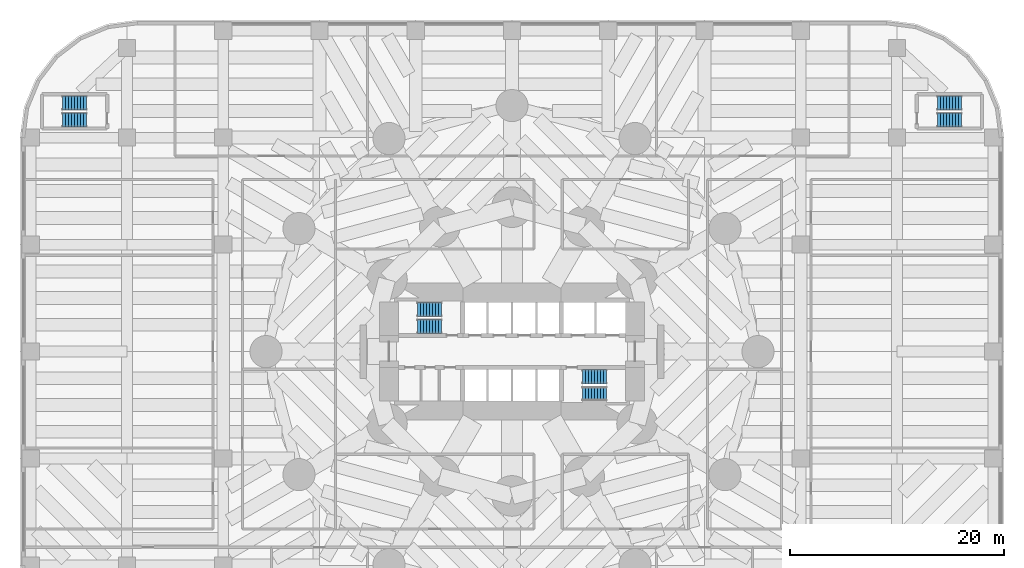
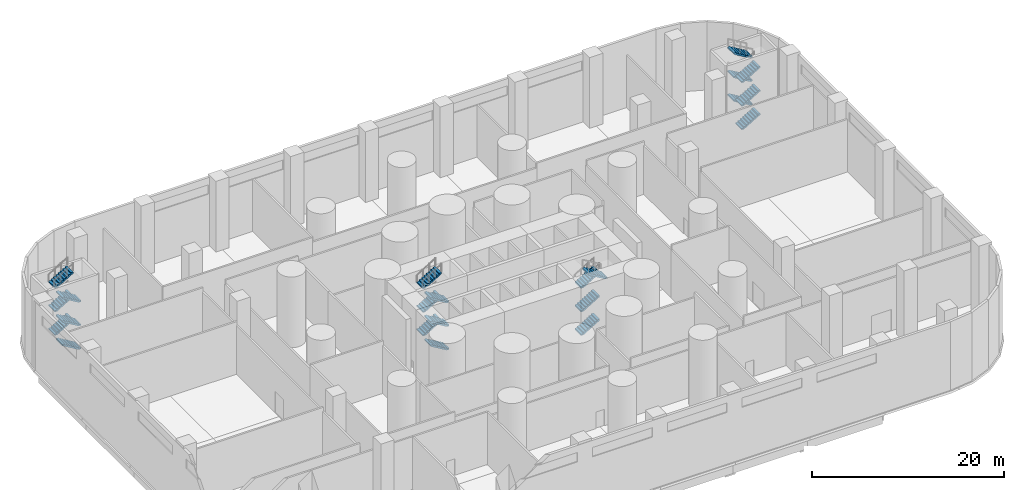
# One storey, part 12 of 13: 22 stair flights, 4 elements without a shape of their own.
"""IFC4 building model written with IfcOpenShell, lengths in metres."""

from ifc_helpers import new_model, si_unit, direction, frame, origin, place, context, subcontext, project, spatial, polyline, outline, extrude, material, type_object, element, aggregate, save


model = new_model("IFC4")

# Units and contexts
model_context = context("Model", 3, precision=1e-05, world=origin(), true_north=direction((0.0, 1.0)))
body_context = subcontext(model_context, "Body", "Model", "MODEL_VIEW")
ifc_project = project(units=[si_unit("LENGTHUNIT", "METRE"), si_unit("AREAUNIT", "SQUARE_METRE"), si_unit("VOLUMEUNIT", "CUBIC_METRE"), si_unit("PLANEANGLEUNIT", "RADIAN"), si_unit("MASSUNIT", "GRAM", prefix="KILO")], contexts=[model_context])

# Site, building, storey
site_placement = place(None, origin())
site = spatial("IfcSite", under=ifc_project, at=site_placement, CompositionType="ELEMENT")
building_placement = place(site_placement, origin())
building = spatial("IfcBuilding", under=site, at=building_placement, Name="Qaws Media Tower", CompositionType="ELEMENT")
storey_placement = place(building_placement, frame((0.0, 0.0, 6.0)))
storey = spatial("IfcBuildingStorey", under=building, at=storey_placement, Name="L01", CompositionType="ELEMENT", Elevation=6.0)

# Stair, stair flights
ifc_material_1 = material(Name="Concrete C40/50", Category="concrete")
stair_type = type_object("IfcStairType", Name="Exit stair", PredefinedType="HALF_TURN_STAIR", material=ifc_material_1)
stair_1_placement = place(storey_placement, origin())
stair_1 = element("IfcStair", 1, at=stair_1_placement, inside=storey, type_object=stair_type, Name="S1 exit stair L01", PredefinedType="HALF_TURN_STAIR")
ifc_material_2 = material(Name="Concrete C40/50", Category="concrete")
stair_flight_type = type_object("IfcStairFlightType", Name="Stair flight 1310", PredefinedType="STRAIGHT", material=ifc_material_2)
stair_flight_1_placement = place(storey_placement, frame((53.419921875, 52.35498046875, 0.0), z_axis=(0.0, 0.0, 1.0), x_axis=(-1.0, 0.0, 0.0)))
stair_flight_1 = element("IfcStairFlight", 2, at=stair_flight_1_placement, type_object=stair_flight_type, Name="S1 flight 1", NumberOfRisers=9, NumberOfTreads=8, PredefinedType="STRAIGHT", RiserHeight=0.166666667, TreadLength=0.28, context=body_context, shape_type="SweptSolid", body=[
    extrude(outline(polyline([(0.0, 0.0), (0.0, 0.166748046875), (0.280029296875, 0.166748046875), (0.280029296875, 0.333251953125), (0.56005859375, 0.333251953125), (0.56005859375, 0.5), (0.840087890625, 0.5), (0.840087890625, 0.666748046875), (1.1201171875, 0.666748046875), (1.1201171875, 0.833251953125), (1.39990234375, 0.833251953125), (1.39990234375, 1.0), (1.679931640625, 1.0), (1.679931640625, 1.166748046875), (1.9599609375, 1.166748046875), (1.9599609375, 1.333251953125), (2.239990234375, 1.333251953125), (2.239990234375, 1.5), (2.239990234375, 1.158935546875), (0.29296875, 0.0), (0.0, 0.0)])), frame((0.0, 0.655029296875, 0.0), z_axis=(0.0, -1.0, 0.0), x_axis=(1.0, 0.0, 0.0)), (0.0, 0.0, 1.0), 1.31005859375),
])
stair_flight_2_placement = place(storey_placement, frame((51.179931640625, 53.945068359375, 1.5), z_axis=(0.0, 0.0, 1.0), x_axis=(1.0, 0.0, 0.0)))
stair_flight_2 = element("IfcStairFlight", 3, at=stair_flight_2_placement, type_object=stair_flight_type, Name="S1 flight 2", NumberOfRisers=9, NumberOfTreads=8, PredefinedType="STRAIGHT", RiserHeight=0.166666667, TreadLength=0.28, context=body_context, shape_type="SweptSolid", body=[
    extrude(outline(polyline([(0.0, 0.0), (0.0, 0.166748046875), (0.280029296875, 0.166748046875), (0.280029296875, 0.333251953125), (0.56005859375, 0.333251953125), (0.56005859375, 0.5), (0.840087890625, 0.5), (0.840087890625, 0.666748046875), (1.1201171875, 0.666748046875), (1.1201171875, 0.833251953125), (1.39990234375, 0.833251953125), (1.39990234375, 1.0), (1.679931640625, 1.0), (1.679931640625, 1.166748046875), (1.9599609375, 1.166748046875), (1.9599609375, 1.333251953125), (2.239990234375, 1.333251953125), (2.239990234375, 1.5), (2.239990234375, 1.158935546875), (0.29296875, 0.0), (0.0, 0.0)])), frame((0.0, 0.655029296875, 0.0), z_axis=(0.0, -1.0, 0.0), x_axis=(1.0, 0.0, 0.0)), (0.0, 0.0, 1.0), 1.31005859375),
])
stair_flight_3_placement = place(storey_placement, frame((53.419921875, 52.35498046875, 3.0), z_axis=(0.0, 0.0, 1.0), x_axis=(-1.0, 0.0, 0.0)))
stair_flight_3 = element("IfcStairFlight", 4, at=stair_flight_3_placement, type_object=stair_flight_type, Name="S1 flight 3", NumberOfRisers=9, NumberOfTreads=8, PredefinedType="STRAIGHT", RiserHeight=0.166666667, TreadLength=0.28, context=body_context, shape_type="SweptSolid", body=[
    extrude(outline(polyline([(0.0, 0.0), (0.0, 0.166748046875), (0.280029296875, 0.166748046875), (0.280029296875, 0.333251953125), (0.56005859375, 0.333251953125), (0.56005859375, 0.5), (0.840087890625, 0.5), (0.840087890625, 0.666748046875), (1.1201171875, 0.666748046875), (1.1201171875, 0.833251953125), (1.39990234375, 0.833251953125), (1.39990234375, 1.0), (1.679931640625, 1.0), (1.679931640625, 1.166748046875), (1.9599609375, 1.166748046875), (1.9599609375, 1.333251953125), (2.239990234375, 1.333251953125), (2.239990234375, 1.5), (2.239990234375, 1.158935546875), (0.29296875, 0.0), (0.0, 0.0)])), frame((0.0, 0.655029296875, 0.0), z_axis=(0.0, -1.0, 0.0), x_axis=(1.0, 0.0, 0.0)), (0.0, 0.0, 1.0), 1.31005859375),
])
stair_flight_4_placement = place(storey_placement, frame((51.179931640625, 53.945068359375, 4.5), z_axis=(0.0, 0.0, 1.0), x_axis=(1.0, 0.0, 0.0)))
stair_flight_4 = element("IfcStairFlight", 5, at=stair_flight_4_placement, type_object=stair_flight_type, Name="S1 flight 4", NumberOfRisers=9, NumberOfTreads=8, PredefinedType="STRAIGHT", RiserHeight=0.166666667, TreadLength=0.28, context=body_context, shape_type="SweptSolid", body=[
    extrude(outline(polyline([(0.0, 0.0), (0.0, 0.166748046875), (0.280029296875, 0.166748046875), (0.280029296875, 0.333251953125), (0.56005859375, 0.333251953125), (0.56005859375, 0.5), (0.840087890625, 0.5), (0.840087890625, 0.666748046875), (1.1201171875, 0.666748046875), (1.1201171875, 0.833251953125), (1.39990234375, 0.833251953125), (1.39990234375, 1.0), (1.679931640625, 1.0), (1.679931640625, 1.166748046875), (1.9599609375, 1.166748046875), (1.9599609375, 1.333251953125), (2.239990234375, 1.333251953125), (2.239990234375, 1.5), (2.239990234375, 1.158935546875), (0.29296875, 0.0), (0.0, 0.0)])), frame((0.0, 0.655029296875, 0.0), z_axis=(0.0, -1.0, 0.0), x_axis=(1.0, 0.0, 0.0)), (0.0, 0.0, 1.0), 1.31005859375),
])
stair_flight_5_placement = place(storey_placement, frame((53.419921875, 52.35498046875, 6.0), z_axis=(0.0, 0.0, 1.0), x_axis=(-1.0, 0.0, 0.0)))
stair_flight_5 = element("IfcStairFlight", 6, at=stair_flight_5_placement, type_object=stair_flight_type, Name="S1 flight 5", NumberOfRisers=9, NumberOfTreads=8, PredefinedType="STRAIGHT", RiserHeight=0.166666667, TreadLength=0.28, context=body_context, shape_type="SweptSolid", body=[
    extrude(outline(polyline([(0.0, 0.0), (0.0, 0.166748046875), (0.280029296875, 0.166748046875), (0.280029296875, 0.333251953125), (0.56005859375, 0.333251953125), (0.56005859375, 0.5), (0.840087890625, 0.5), (0.840087890625, 0.666748046875), (1.1201171875, 0.666748046875), (1.1201171875, 0.833251953125), (1.39990234375, 0.833251953125), (1.39990234375, 1.0), (1.679931640625, 1.0), (1.679931640625, 1.166748046875), (1.9599609375, 1.166748046875), (1.9599609375, 1.333251953125), (2.239990234375, 1.333251953125), (2.239990234375, 1.5), (2.239990234375, 1.158935546875), (0.29296875, 0.0), (0.0, 0.0)])), frame((0.0, 0.655029296875, 0.0), z_axis=(0.0, -1.0, 0.0), x_axis=(1.0, 0.0, 0.0)), (0.0, 0.0, 1.0), 1.31005859375),
])
stair_flight_6_placement = place(storey_placement, frame((51.179931640625, 53.945068359375, 7.5), z_axis=(0.0, 0.0, 1.0), x_axis=(1.0, 0.0, 0.0)))
stair_flight_6 = element("IfcStairFlight", 7, at=stair_flight_6_placement, type_object=stair_flight_type, Name="S1 flight 6", NumberOfRisers=9, NumberOfTreads=8, PredefinedType="STRAIGHT", RiserHeight=0.166666667, TreadLength=0.28, context=body_context, shape_type="SweptSolid", body=[
    extrude(outline(polyline([(0.0, 0.0), (0.0, 0.166748046875), (0.280029296875, 0.166748046875), (0.280029296875, 0.333251953125), (0.56005859375, 0.333251953125), (0.56005859375, 0.5), (0.840087890625, 0.5), (0.840087890625, 0.666748046875), (1.1201171875, 0.666748046875), (1.1201171875, 0.833251953125), (1.39990234375, 0.833251953125), (1.39990234375, 1.0), (1.679931640625, 1.0), (1.679931640625, 1.166748046875), (1.9599609375, 1.166748046875), (1.9599609375, 1.333251953125), (2.239990234375, 1.333251953125), (2.239990234375, 1.5), (2.239990234375, 1.158935546875), (0.29296875, 0.0), (0.0, 0.0)])), frame((0.0, 0.655029296875, 0.0), z_axis=(0.0, -1.0, 0.0), x_axis=(1.0, 0.0, 0.0)), (0.0, 0.0, 1.0), 1.31005859375),
])
aggregate(stair_1, [stair_flight_1, stair_flight_2, stair_flight_3, stair_flight_4, stair_flight_5, stair_flight_6])

stair_2_placement = place(storey_placement, origin())
stair_2 = element("IfcStair", 8, at=stair_2_placement, inside=storey, type_object=stair_type, Name="S2 exit stair L01", PredefinedType="HALF_TURN_STAIR")
stair_flight_7_placement = place(storey_placement, frame((66.580078125, 47.64501953125, 0.0), z_axis=(0.0, 0.0, 1.0), x_axis=(1.0, 0.0, 0.0)))
stair_flight_7 = element("IfcStairFlight", 9, at=stair_flight_7_placement, type_object=stair_flight_type, Name="S2 flight 1", NumberOfRisers=9, NumberOfTreads=8, PredefinedType="STRAIGHT", RiserHeight=0.166666667, TreadLength=0.28, context=body_context, shape_type="SweptSolid", body=[
    extrude(outline(polyline([(0.0, 0.0), (0.0, 0.166748046875), (0.280029296875, 0.166748046875), (0.280029296875, 0.333251953125), (0.56005859375, 0.333251953125), (0.56005859375, 0.5), (0.840087890625, 0.5), (0.840087890625, 0.666748046875), (1.1201171875, 0.666748046875), (1.1201171875, 0.833251953125), (1.39990234375, 0.833251953125), (1.39990234375, 1.0), (1.679931640625, 1.0), (1.679931640625, 1.166748046875), (1.9599609375, 1.166748046875), (1.9599609375, 1.333251953125), (2.239990234375, 1.333251953125), (2.239990234375, 1.5), (2.239990234375, 1.158935546875), (0.29296875, 0.0), (0.0, 0.0)])), frame((0.0, 0.655029296875, 0.0), z_axis=(0.0, -1.0, 0.0), x_axis=(1.0, 0.0, 0.0)), (0.0, 0.0, 1.0), 1.31005859375),
])
stair_flight_8_placement = place(storey_placement, frame((66.580078125, 47.64501953125, 3.0), z_axis=(0.0, 0.0, 1.0), x_axis=(1.0, 0.0, 0.0)))
stair_flight_8 = element("IfcStairFlight", 10, at=stair_flight_8_placement, type_object=stair_flight_type, Name="S2 flight 3", NumberOfRisers=9, NumberOfTreads=8, PredefinedType="STRAIGHT", RiserHeight=0.166666667, TreadLength=0.28, context=body_context, shape_type="SweptSolid", body=[
    extrude(outline(polyline([(0.0, 0.0), (0.0, 0.166748046875), (0.280029296875, 0.166748046875), (0.280029296875, 0.333251953125), (0.56005859375, 0.333251953125), (0.56005859375, 0.5), (0.840087890625, 0.5), (0.840087890625, 0.666748046875), (1.1201171875, 0.666748046875), (1.1201171875, 0.833251953125), (1.39990234375, 0.833251953125), (1.39990234375, 1.0), (1.679931640625, 1.0), (1.679931640625, 1.166748046875), (1.9599609375, 1.166748046875), (1.9599609375, 1.333251953125), (2.239990234375, 1.333251953125), (2.239990234375, 1.5), (2.239990234375, 1.158935546875), (0.29296875, 0.0), (0.0, 0.0)])), frame((0.0, 0.655029296875, 0.0), z_axis=(0.0, -1.0, 0.0), x_axis=(1.0, 0.0, 0.0)), (0.0, 0.0, 1.0), 1.31005859375),
])
stair_flight_9_placement = place(storey_placement, frame((66.580078125, 47.64501953125, 6.0), z_axis=(0.0, 0.0, 1.0), x_axis=(1.0, 0.0, 0.0)))
stair_flight_9 = element("IfcStairFlight", 11, at=stair_flight_9_placement, type_object=stair_flight_type, Name="S2 flight 5", NumberOfRisers=9, NumberOfTreads=8, PredefinedType="STRAIGHT", RiserHeight=0.166666667, TreadLength=0.28, context=body_context, shape_type="SweptSolid", body=[
    extrude(outline(polyline([(0.0, 0.0), (0.0, 0.166748046875), (0.280029296875, 0.166748046875), (0.280029296875, 0.333251953125), (0.56005859375, 0.333251953125), (0.56005859375, 0.5), (0.840087890625, 0.5), (0.840087890625, 0.666748046875), (1.1201171875, 0.666748046875), (1.1201171875, 0.833251953125), (1.39990234375, 0.833251953125), (1.39990234375, 1.0), (1.679931640625, 1.0), (1.679931640625, 1.166748046875), (1.9599609375, 1.166748046875), (1.9599609375, 1.333251953125), (2.239990234375, 1.333251953125), (2.239990234375, 1.5), (2.239990234375, 1.158935546875), (0.29296875, 0.0), (0.0, 0.0)])), frame((0.0, 0.655029296875, 0.0), z_axis=(0.0, -1.0, 0.0), x_axis=(1.0, 0.0, 0.0)), (0.0, 0.0, 1.0), 1.31005859375),
])
stair_flight_10_placement = place(storey_placement, frame((68.820068359375, 46.054931640625, 7.5), z_axis=(0.0, 0.0, 1.0), x_axis=(-1.0, 0.0, 0.0)))
stair_flight_10 = element("IfcStairFlight", 12, at=stair_flight_10_placement, type_object=stair_flight_type, Name="S2 flight 6", NumberOfRisers=9, NumberOfTreads=8, PredefinedType="STRAIGHT", RiserHeight=0.166666667, TreadLength=0.28, context=body_context, shape_type="SweptSolid", body=[
    extrude(outline(polyline([(0.0, 0.0), (0.0, 0.166748046875), (0.280029296875, 0.166748046875), (0.280029296875, 0.333251953125), (0.56005859375, 0.333251953125), (0.56005859375, 0.5), (0.840087890625, 0.5), (0.840087890625, 0.666748046875), (1.1201171875, 0.666748046875), (1.1201171875, 0.833251953125), (1.39990234375, 0.833251953125), (1.39990234375, 1.0), (1.679931640625, 1.0), (1.679931640625, 1.166748046875), (1.9599609375, 1.166748046875), (1.9599609375, 1.333251953125), (2.239990234375, 1.333251953125), (2.239990234375, 1.5), (2.239990234375, 1.158935546875), (0.29296875, 0.0), (0.0, 0.0)])), frame((0.0, 0.655029296875, 0.0), z_axis=(0.0, -1.0, 0.0), x_axis=(1.0, 0.0, 0.0)), (0.0, 0.0, 1.0), 1.31005859375),
])
aggregate(stair_2, [stair_flight_7, stair_flight_8, stair_flight_9, stair_flight_10])

stair_3_placement = place(storey_placement, origin())
stair_3 = element("IfcStair", 13, at=stair_3_placement, inside=storey, type_object=stair_type, Name="S3 exit stair L01", PredefinedType="HALF_TURN_STAIR")
stair_flight_11_placement = place(storey_placement, frame((20.219970703125, 71.655029296875, 0.0), z_axis=(0.0, 0.0, 1.0), x_axis=(-1.0, 0.0, 0.0)))
stair_flight_11 = element("IfcStairFlight", 14, at=stair_flight_11_placement, type_object=stair_flight_type, Name="S3 flight 1", NumberOfRisers=9, NumberOfTreads=8, PredefinedType="STRAIGHT", RiserHeight=0.166666667, TreadLength=0.28, context=body_context, shape_type="SweptSolid", body=[
    extrude(outline(polyline([(0.0, 0.0), (0.0, 0.166748046875), (0.280029296875, 0.166748046875), (0.280029296875, 0.333251953125), (0.56005859375, 0.333251953125), (0.56005859375, 0.5), (0.840087890625, 0.5), (0.840087890625, 0.666748046875), (1.1201171875, 0.666748046875), (1.1201171875, 0.833251953125), (1.39990234375, 0.833251953125), (1.39990234375, 1.0), (1.679931640625, 1.0), (1.679931640625, 1.166748046875), (1.9599609375, 1.166748046875), (1.9599609375, 1.333251953125), (2.239990234375, 1.333251953125), (2.239990234375, 1.5), (2.239990234375, 1.158935546875), (0.29296875, 0.0), (0.0, 0.0)])), frame((0.0, 0.655029296875, 0.0), z_axis=(0.0, -1.0, 0.0), x_axis=(1.0, 0.0, 0.0)), (0.0, 0.0, 1.0), 1.31005859375),
])
stair_flight_12_placement = place(storey_placement, frame((17.97998046875, 73.2451171875, 1.5), z_axis=(0.0, 0.0, 1.0), x_axis=(1.0, 0.0, 0.0)))
stair_flight_12 = element("IfcStairFlight", 15, at=stair_flight_12_placement, type_object=stair_flight_type, Name="S3 flight 2", NumberOfRisers=9, NumberOfTreads=8, PredefinedType="STRAIGHT", RiserHeight=0.166666667, TreadLength=0.28, context=body_context, shape_type="SweptSolid", body=[
    extrude(outline(polyline([(0.0, 0.0), (0.0, 0.166748046875), (0.280029296875, 0.166748046875), (0.280029296875, 0.333251953125), (0.56005859375, 0.333251953125), (0.56005859375, 0.5), (0.840087890625, 0.5), (0.840087890625, 0.666748046875), (1.1201171875, 0.666748046875), (1.1201171875, 0.833251953125), (1.39990234375, 0.833251953125), (1.39990234375, 1.0), (1.679931640625, 1.0), (1.679931640625, 1.166748046875), (1.9599609375, 1.166748046875), (1.9599609375, 1.333251953125), (2.239990234375, 1.333251953125), (2.239990234375, 1.5), (2.239990234375, 1.158935546875), (0.29296875, 0.0), (0.0, 0.0)])), frame((0.0, 0.655029296875, 0.0), z_axis=(0.0, -1.0, 0.0), x_axis=(1.0, 0.0, 0.0)), (0.0, 0.0, 1.0), 1.31005859375),
])
stair_flight_13_placement = place(storey_placement, frame((20.219970703125, 71.655029296875, 3.0), z_axis=(0.0, 0.0, 1.0), x_axis=(-1.0, 0.0, 0.0)))
stair_flight_13 = element("IfcStairFlight", 16, at=stair_flight_13_placement, type_object=stair_flight_type, Name="S3 flight 3", NumberOfRisers=9, NumberOfTreads=8, PredefinedType="STRAIGHT", RiserHeight=0.166666667, TreadLength=0.28, context=body_context, shape_type="SweptSolid", body=[
    extrude(outline(polyline([(0.0, 0.0), (0.0, 0.166748046875), (0.280029296875, 0.166748046875), (0.280029296875, 0.333251953125), (0.56005859375, 0.333251953125), (0.56005859375, 0.5), (0.840087890625, 0.5), (0.840087890625, 0.666748046875), (1.1201171875, 0.666748046875), (1.1201171875, 0.833251953125), (1.39990234375, 0.833251953125), (1.39990234375, 1.0), (1.679931640625, 1.0), (1.679931640625, 1.166748046875), (1.9599609375, 1.166748046875), (1.9599609375, 1.333251953125), (2.239990234375, 1.333251953125), (2.239990234375, 1.5), (2.239990234375, 1.158935546875), (0.29296875, 0.0), (0.0, 0.0)])), frame((0.0, 0.655029296875, 0.0), z_axis=(0.0, -1.0, 0.0), x_axis=(1.0, 0.0, 0.0)), (0.0, 0.0, 1.0), 1.31005859375),
])
stair_flight_14_placement = place(storey_placement, frame((17.97998046875, 73.2451171875, 4.5), z_axis=(0.0, 0.0, 1.0), x_axis=(1.0, 0.0, 0.0)))
stair_flight_14 = element("IfcStairFlight", 17, at=stair_flight_14_placement, type_object=stair_flight_type, Name="S3 flight 4", NumberOfRisers=9, NumberOfTreads=8, PredefinedType="STRAIGHT", RiserHeight=0.166666667, TreadLength=0.28, context=body_context, shape_type="SweptSolid", body=[
    extrude(outline(polyline([(0.0, 0.0), (0.0, 0.166748046875), (0.280029296875, 0.166748046875), (0.280029296875, 0.333251953125), (0.56005859375, 0.333251953125), (0.56005859375, 0.5), (0.840087890625, 0.5), (0.840087890625, 0.666748046875), (1.1201171875, 0.666748046875), (1.1201171875, 0.833251953125), (1.39990234375, 0.833251953125), (1.39990234375, 1.0), (1.679931640625, 1.0), (1.679931640625, 1.166748046875), (1.9599609375, 1.166748046875), (1.9599609375, 1.333251953125), (2.239990234375, 1.333251953125), (2.239990234375, 1.5), (2.239990234375, 1.158935546875), (0.29296875, 0.0), (0.0, 0.0)])), frame((0.0, 0.655029296875, 0.0), z_axis=(0.0, -1.0, 0.0), x_axis=(1.0, 0.0, 0.0)), (0.0, 0.0, 1.0), 1.31005859375),
])
stair_flight_15_placement = place(storey_placement, frame((20.219970703125, 71.655029296875, 6.0), z_axis=(0.0, 0.0, 1.0), x_axis=(-1.0, 0.0, 0.0)))
stair_flight_15 = element("IfcStairFlight", 18, at=stair_flight_15_placement, type_object=stair_flight_type, Name="S3 flight 5", NumberOfRisers=9, NumberOfTreads=8, PredefinedType="STRAIGHT", RiserHeight=0.166666667, TreadLength=0.28, context=body_context, shape_type="SweptSolid", body=[
    extrude(outline(polyline([(0.0, 0.0), (0.0, 0.166748046875), (0.280029296875, 0.166748046875), (0.280029296875, 0.333251953125), (0.56005859375, 0.333251953125), (0.56005859375, 0.5), (0.840087890625, 0.5), (0.840087890625, 0.666748046875), (1.1201171875, 0.666748046875), (1.1201171875, 0.833251953125), (1.39990234375, 0.833251953125), (1.39990234375, 1.0), (1.679931640625, 1.0), (1.679931640625, 1.166748046875), (1.9599609375, 1.166748046875), (1.9599609375, 1.333251953125), (2.239990234375, 1.333251953125), (2.239990234375, 1.5), (2.239990234375, 1.158935546875), (0.29296875, 0.0), (0.0, 0.0)])), frame((0.0, 0.655029296875, 0.0), z_axis=(0.0, -1.0, 0.0), x_axis=(1.0, 0.0, 0.0)), (0.0, 0.0, 1.0), 1.31005859375),
])
stair_flight_16_placement = place(storey_placement, frame((17.97998046875, 73.2451171875, 7.5), z_axis=(0.0, 0.0, 1.0), x_axis=(1.0, 0.0, 0.0)))
stair_flight_16 = element("IfcStairFlight", 19, at=stair_flight_16_placement, type_object=stair_flight_type, Name="S3 flight 6", NumberOfRisers=9, NumberOfTreads=8, PredefinedType="STRAIGHT", RiserHeight=0.166666667, TreadLength=0.28, context=body_context, shape_type="SweptSolid", body=[
    extrude(outline(polyline([(0.0, 0.0), (0.0, 0.166748046875), (0.280029296875, 0.166748046875), (0.280029296875, 0.333251953125), (0.56005859375, 0.333251953125), (0.56005859375, 0.5), (0.840087890625, 0.5), (0.840087890625, 0.666748046875), (1.1201171875, 0.666748046875), (1.1201171875, 0.833251953125), (1.39990234375, 0.833251953125), (1.39990234375, 1.0), (1.679931640625, 1.0), (1.679931640625, 1.166748046875), (1.9599609375, 1.166748046875), (1.9599609375, 1.333251953125), (2.239990234375, 1.333251953125), (2.239990234375, 1.5), (2.239990234375, 1.158935546875), (0.29296875, 0.0), (0.0, 0.0)])), frame((0.0, 0.655029296875, 0.0), z_axis=(0.0, -1.0, 0.0), x_axis=(1.0, 0.0, 0.0)), (0.0, 0.0, 1.0), 1.31005859375),
])
aggregate(stair_3, [stair_flight_11, stair_flight_12, stair_flight_13, stair_flight_14, stair_flight_15, stair_flight_16])

stair_4_placement = place(storey_placement, origin())
stair_4 = element("IfcStair", 20, at=stair_4_placement, inside=storey, type_object=stair_type, Name="S4 exit stair L01", PredefinedType="HALF_TURN_STAIR")
stair_flight_17_placement = place(storey_placement, frame((99.780029296875, 71.655029296875, 0.0), z_axis=(0.0, 0.0, 1.0), x_axis=(1.0, 0.0, 0.0)))
stair_flight_17 = element("IfcStairFlight", 21, at=stair_flight_17_placement, type_object=stair_flight_type, Name="S4 flight 1", NumberOfRisers=9, NumberOfTreads=8, PredefinedType="STRAIGHT", RiserHeight=0.166666667, TreadLength=0.28, context=body_context, shape_type="SweptSolid", body=[
    extrude(outline(polyline([(0.0, 0.0), (0.0, 0.166748046875), (0.280029296875, 0.166748046875), (0.280029296875, 0.333251953125), (0.56005859375, 0.333251953125), (0.56005859375, 0.5), (0.840087890625, 0.5), (0.840087890625, 0.666748046875), (1.1201171875, 0.666748046875), (1.1201171875, 0.833251953125), (1.39990234375, 0.833251953125), (1.39990234375, 1.0), (1.679931640625, 1.0), (1.679931640625, 1.166748046875), (1.9599609375, 1.166748046875), (1.9599609375, 1.333251953125), (2.239990234375, 1.333251953125), (2.239990234375, 1.5), (2.239990234375, 1.158935546875), (0.29296875, 0.0), (0.0, 0.0)])), frame((0.0, 0.655029296875, 0.0), z_axis=(0.0, -1.0, 0.0), x_axis=(1.0, 0.0, 0.0)), (0.0, 0.0, 1.0), 1.31005859375),
])
stair_flight_18_placement = place(storey_placement, frame((102.02001953125, 73.2451171875, 1.5), z_axis=(0.0, 0.0, 1.0), x_axis=(-1.0, 0.0, 0.0)))
stair_flight_18 = element("IfcStairFlight", 22, at=stair_flight_18_placement, type_object=stair_flight_type, Name="S4 flight 2", NumberOfRisers=9, NumberOfTreads=8, PredefinedType="STRAIGHT", RiserHeight=0.166666667, TreadLength=0.28, context=body_context, shape_type="SweptSolid", body=[
    extrude(outline(polyline([(0.0, 0.0), (0.0, 0.166748046875), (0.280029296875, 0.166748046875), (0.280029296875, 0.333251953125), (0.56005859375, 0.333251953125), (0.56005859375, 0.5), (0.840087890625, 0.5), (0.840087890625, 0.666748046875), (1.1201171875, 0.666748046875), (1.1201171875, 0.833251953125), (1.39990234375, 0.833251953125), (1.39990234375, 1.0), (1.679931640625, 1.0), (1.679931640625, 1.166748046875), (1.9599609375, 1.166748046875), (1.9599609375, 1.333251953125), (2.239990234375, 1.333251953125), (2.239990234375, 1.5), (2.239990234375, 1.158935546875), (0.29296875, 0.0), (0.0, 0.0)])), frame((0.0, 0.655029296875, 0.0), z_axis=(0.0, -1.0, 0.0), x_axis=(1.0, 0.0, 0.0)), (0.0, 0.0, 1.0), 1.31005859375),
])
stair_flight_19_placement = place(storey_placement, frame((99.780029296875, 71.655029296875, 3.0), z_axis=(0.0, 0.0, 1.0), x_axis=(1.0, 0.0, 0.0)))
stair_flight_19 = element("IfcStairFlight", 23, at=stair_flight_19_placement, type_object=stair_flight_type, Name="S4 flight 3", NumberOfRisers=9, NumberOfTreads=8, PredefinedType="STRAIGHT", RiserHeight=0.166666667, TreadLength=0.28, context=body_context, shape_type="SweptSolid", body=[
    extrude(outline(polyline([(0.0, 0.0), (0.0, 0.166748046875), (0.280029296875, 0.166748046875), (0.280029296875, 0.333251953125), (0.56005859375, 0.333251953125), (0.56005859375, 0.5), (0.840087890625, 0.5), (0.840087890625, 0.666748046875), (1.1201171875, 0.666748046875), (1.1201171875, 0.833251953125), (1.39990234375, 0.833251953125), (1.39990234375, 1.0), (1.679931640625, 1.0), (1.679931640625, 1.166748046875), (1.9599609375, 1.166748046875), (1.9599609375, 1.333251953125), (2.239990234375, 1.333251953125), (2.239990234375, 1.5), (2.239990234375, 1.158935546875), (0.29296875, 0.0), (0.0, 0.0)])), frame((0.0, 0.655029296875, 0.0), z_axis=(0.0, -1.0, 0.0), x_axis=(1.0, 0.0, 0.0)), (0.0, 0.0, 1.0), 1.31005859375),
])
stair_flight_20_placement = place(storey_placement, frame((102.02001953125, 73.2451171875, 4.5), z_axis=(0.0, 0.0, 1.0), x_axis=(-1.0, 0.0, 0.0)))
stair_flight_20 = element("IfcStairFlight", 24, at=stair_flight_20_placement, type_object=stair_flight_type, Name="S4 flight 4", NumberOfRisers=9, NumberOfTreads=8, PredefinedType="STRAIGHT", RiserHeight=0.166666667, TreadLength=0.28, context=body_context, shape_type="SweptSolid", body=[
    extrude(outline(polyline([(0.0, 0.0), (0.0, 0.166748046875), (0.280029296875, 0.166748046875), (0.280029296875, 0.333251953125), (0.56005859375, 0.333251953125), (0.56005859375, 0.5), (0.840087890625, 0.5), (0.840087890625, 0.666748046875), (1.1201171875, 0.666748046875), (1.1201171875, 0.833251953125), (1.39990234375, 0.833251953125), (1.39990234375, 1.0), (1.679931640625, 1.0), (1.679931640625, 1.166748046875), (1.9599609375, 1.166748046875), (1.9599609375, 1.333251953125), (2.239990234375, 1.333251953125), (2.239990234375, 1.5), (2.239990234375, 1.158935546875), (0.29296875, 0.0), (0.0, 0.0)])), frame((0.0, 0.655029296875, 0.0), z_axis=(0.0, -1.0, 0.0), x_axis=(1.0, 0.0, 0.0)), (0.0, 0.0, 1.0), 1.31005859375),
])
stair_flight_21_placement = place(storey_placement, frame((99.780029296875, 71.655029296875, 6.0), z_axis=(0.0, 0.0, 1.0), x_axis=(1.0, 0.0, 0.0)))
stair_flight_21 = element("IfcStairFlight", 25, at=stair_flight_21_placement, type_object=stair_flight_type, Name="S4 flight 5", NumberOfRisers=9, NumberOfTreads=8, PredefinedType="STRAIGHT", RiserHeight=0.166666667, TreadLength=0.28, context=body_context, shape_type="SweptSolid", body=[
    extrude(outline(polyline([(0.0, 0.0), (0.0, 0.166748046875), (0.280029296875, 0.166748046875), (0.280029296875, 0.333251953125), (0.56005859375, 0.333251953125), (0.56005859375, 0.5), (0.840087890625, 0.5), (0.840087890625, 0.666748046875), (1.1201171875, 0.666748046875), (1.1201171875, 0.833251953125), (1.39990234375, 0.833251953125), (1.39990234375, 1.0), (1.679931640625, 1.0), (1.679931640625, 1.166748046875), (1.9599609375, 1.166748046875), (1.9599609375, 1.333251953125), (2.239990234375, 1.333251953125), (2.239990234375, 1.5), (2.239990234375, 1.158935546875), (0.29296875, 0.0), (0.0, 0.0)])), frame((0.0, 0.655029296875, 0.0), z_axis=(0.0, -1.0, 0.0), x_axis=(1.0, 0.0, 0.0)), (0.0, 0.0, 1.0), 1.31005859375),
])
stair_flight_22_placement = place(storey_placement, frame((102.02001953125, 73.2451171875, 7.5), z_axis=(0.0, 0.0, 1.0), x_axis=(-1.0, 0.0, 0.0)))
stair_flight_22 = element("IfcStairFlight", 26, at=stair_flight_22_placement, type_object=stair_flight_type, Name="S4 flight 6", NumberOfRisers=9, NumberOfTreads=8, PredefinedType="STRAIGHT", RiserHeight=0.166666667, TreadLength=0.28, context=body_context, shape_type="SweptSolid", body=[
    extrude(outline(polyline([(0.0, 0.0), (0.0, 0.166748046875), (0.280029296875, 0.166748046875), (0.280029296875, 0.333251953125), (0.56005859375, 0.333251953125), (0.56005859375, 0.5), (0.840087890625, 0.5), (0.840087890625, 0.666748046875), (1.1201171875, 0.666748046875), (1.1201171875, 0.833251953125), (1.39990234375, 0.833251953125), (1.39990234375, 1.0), (1.679931640625, 1.0), (1.679931640625, 1.166748046875), (1.9599609375, 1.166748046875), (1.9599609375, 1.333251953125), (2.239990234375, 1.333251953125), (2.239990234375, 1.5), (2.239990234375, 1.158935546875), (0.29296875, 0.0), (0.0, 0.0)])), frame((0.0, 0.655029296875, 0.0), z_axis=(0.0, -1.0, 0.0), x_axis=(1.0, 0.0, 0.0)), (0.0, 0.0, 1.0), 1.31005859375),
])
aggregate(stair_4, [stair_flight_17, stair_flight_18, stair_flight_19, stair_flight_20, stair_flight_21, stair_flight_22])

save(model, "model.ifc")
